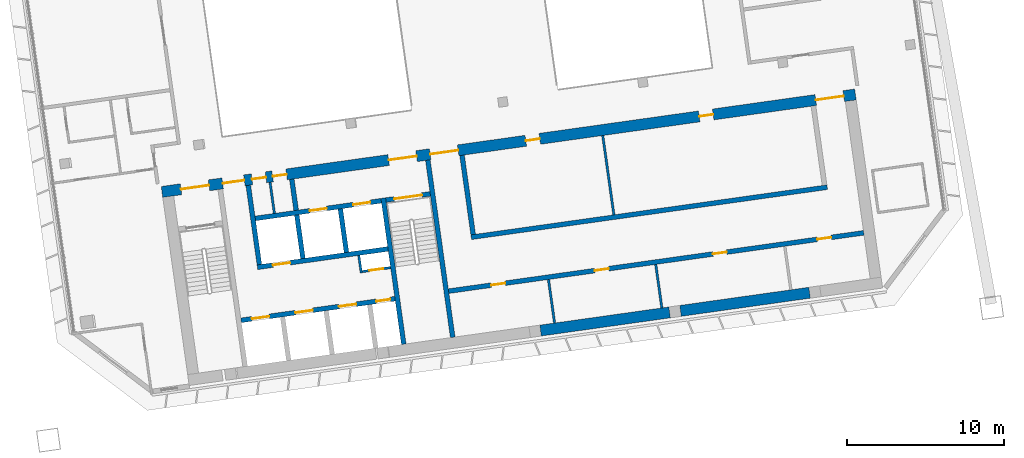
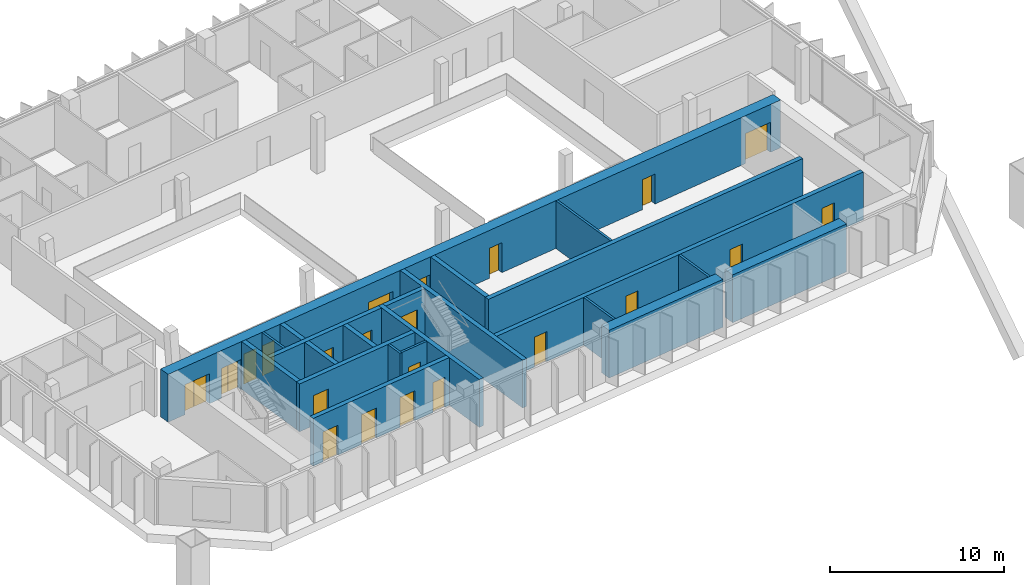
# One storey, part 18 of 23: 22 doors, 22 walls, 22 openings.
"""IFC4 building model written with IfcOpenShell, lengths in metres."""

from ifc_helpers import new_model, si_unit, direction, frame, frame_2d, origin, place, context, subcontext, project, spatial, rectangle, extrude, material, layer, layer_set, type_object, element, fill, save


model = new_model("IFC4")

# Units and contexts
model_context = context("Model", 3, precision=1e-05, world=origin(), true_north=direction((0.0, 1.0)))
body_context = subcontext(model_context, "Body", "Model", "MODEL_VIEW")
ifc_project = project(units=[si_unit("LENGTHUNIT", "METRE"), si_unit("AREAUNIT", "SQUARE_METRE"), si_unit("VOLUMEUNIT", "CUBIC_METRE"), si_unit("PLANEANGLEUNIT", "RADIAN"), si_unit("MASSUNIT", "GRAM", prefix="KILO")], contexts=[model_context])

# Site, building, storey
site_placement = place(None, origin())
site = spatial("IfcSite", under=ifc_project, at=site_placement, CompositionType="ELEMENT")
building_placement = place(site_placement, origin())
building = spatial("IfcBuilding", under=site, at=building_placement, Name="Mirante Cascada Hotel Towers", CompositionType="ELEMENT")
storey_placement = place(building_placement, frame((0.0, 0.0, 195.4)))
storey = spatial("IfcBuildingStorey", under=building, at=storey_placement, Name="L46", CompositionType="ELEMENT", Elevation=195.4)

# Wall
ifc_material_1 = material(Name="Masonry block", Category="masonry")
ifc_layer_1 = layer(ifc_material_1, 0.15)
ifc_layer_set_1 = layer_set([ifc_layer_1], Name="Core room partition 150 block EI 30")
wall_type_1 = type_object("IfcWallType", Name="Core room partition 150 block EI 30", PredefinedType="PARTITIONING", material=ifc_layer_set_1)
wall_1_placement = place(storey_placement, frame((48.2295, -12.793, 0.0), z_axis=(0.0, 0.0, 1.0), x_axis=(-0.1391935, 0.9902652, 0.0)))
element("IfcWall", 1, at=wall_1_placement, inside=storey, type_object=wall_type_1, Name="Core wall partition T2 L46 2", PredefinedType="PARTITIONING", context=body_context, shape_type="SweptSolid", body=[
    extrude(rectangle(XDim=1.1251, YDim=0.15, at=frame_2d((0.5626, 0.0))), origin(), (0.0, 0.0, 1.0), 3.35),
])

# Wall, opening, door
wall_2_placement = place(storey_placement, frame((48.2933, -12.7083, 0.0), z_axis=(0.0, 0.0, 1.0), x_axis=(0.990268, 0.1391734, 0.0)))
wall_2 = element("IfcWall", 2, at=wall_2_placement, inside=storey, type_object=wall_type_1, Name="Core wall partition T2 L46 3", PredefinedType="PARTITIONING", context=body_context, shape_type="SweptSolid", body=[
    extrude(rectangle(XDim=1.8251, YDim=0.15, at=frame_2d((0.9126, 0.0))), origin(), (0.0, 0.0, 1.0), 3.35),
])
opening_1_placement = place(wall_2_placement, frame((0.4625, 0.0, 0.0)))
opening_1 = element("IfcOpeningElement", 3, at=opening_1_placement, cuts=wall_2, Name="Opening D2-46-C15", PredefinedType="OPENING", context=body_context, shape_type="SweptSolid", body=[
    extrude(rectangle(XDim=0.9, YDim=2.1, at=frame_2d((0.45, 1.05))), frame((0.0, 0.075, 0.0), z_axis=(0.0, -1.0, 0.0), x_axis=(1.0, 0.0, 0.0)), (0.0, 0.0, 1.0), 0.15),
])
ifc_material_2 = material(Name="Hollow metal fire door leaf")
door_type_1 = type_object("IfcDoorType", Name="Fire door 900x2100 FD60", OperationType="NOTDEFINED", PredefinedType="DOOR", material=ifc_material_2)
door_1_placement = place(opening_1_placement, frame((0.9, 0.0, 0.0), z_axis=(0.0, 0.0, 1.0), x_axis=(-1.0, 0.0, 0.0)))
door_1 = element("IfcDoor", 4, at=door_1_placement, inside=storey, type_object=door_type_1, Name="Riser door T2 L46 15", OperationType="SINGLE_SWING_RIGHT", OverallHeight=2.1, OverallWidth=0.9, PredefinedType="DOOR", context=body_context, shape_type="SweptSolid", body=[
    extrude(rectangle(XDim=0.9, YDim=2.1, at=frame_2d((0.45, 1.05))), frame((0.0, 0.025, 0.0), z_axis=(0.0, -1.0, 0.0), x_axis=(1.0, 0.0, 0.0)), (0.0, 0.0, 1.0), 0.05),
])
fill(opening_1, door_1)

# Walls
wall_3_placement = place(storey_placement, frame((42.6979, -9.0009, 0.0), z_axis=(0.0, 0.0, 1.0), x_axis=(-0.1391529, 0.9902709, 0.0)))
element("IfcWall", 5, at=wall_3_placement, inside=storey, type_object=wall_type_1, Name="Core wall partition T2 L46 4", PredefinedType="PARTITIONING", context=body_context, shape_type="SweptSolid", body=[
    extrude(rectangle(XDim=2.0, YDim=0.15, at=frame_2d((1.0, 0.0))), origin(), (0.0, 0.0, 1.0), 3.35),
])
for number, where, z_axis, x_axis, name in (
    (6, (60.5436, -15.9853, 0.0), (0.0, 0.0, 1.0), (-0.139176, 0.9902677, 0.0), "Core wall partition T2 L46 6"),
    (7, (67.3765, -15.025, 0.0), (0.0, 0.0, 1.0), (-0.139176, 0.9902677, 0.0), "Core wall partition T2 L46 7"),
):
    element("IfcWall", number, at=place(storey_placement, frame(where, z_axis=z_axis, x_axis=x_axis)), inside=storey, type_object=wall_type_1, Name=name, PredefinedType="PARTITIONING", context=body_context, shape_type="SweptSolid", body=[
        extrude(rectangle(XDim=2.8001, YDim=0.15, at=frame_2d((1.4, 0.0))), origin(), (0.0, 0.0, 1.0), 3.35),
    ])
wall_4_placement = place(storey_placement, frame((64.3211, -9.0925, 0.0), z_axis=(0.0, 0.0, 1.0), x_axis=(-0.1391755, 0.9902677, 0.0)))
element("IfcWall", 8, at=wall_4_placement, inside=storey, type_object=wall_type_1, Name="Core wall partition T2 L46 9", PredefinedType="PARTITIONING", context=body_context, shape_type="SweptSolid", body=[
    extrude(rectangle(XDim=5.1, YDim=0.15, at=frame_2d((2.55, 0.0))), origin(), (0.0, 0.0, 1.0), 3.35),
])
ifc_material_3 = material(Name="Masonry block", Category="masonry")
ifc_layer_2 = layer(ifc_material_3, 0.3)
ifc_layer_set_2 = layer_set([ifc_layer_2], Name="Core wall 300 block EI 120")
wall_type_2 = type_object("IfcWallType", Name="Core wall 300 block EI 120", PredefinedType="PARTITIONING", material=ifc_layer_set_2)
wall_5_placement = place(storey_placement, frame((44.0843, -8.8061, 0.0), z_axis=(0.0, 0.0, 1.0), x_axis=(-0.1391951, 0.990265, 0.0)))
element("IfcWall", 9, at=wall_5_placement, inside=storey, type_object=wall_type_2, Name="Core wall partition T2 L46 1", PredefinedType="PARTITIONING", context=body_context, shape_type="SweptSolid", body=[
    extrude(rectangle(XDim=2.0001, YDim=0.3, at=frame_2d((1.0001, 0.0))), origin(), (0.0, 0.0, 1.0), 3.35),
])

# Wall, openings, doors
wall_6_placement = place(storey_placement, frame((53.7953, -13.9547, 0.0), z_axis=(0.0, 0.0, 1.0), x_axis=(0.9902677, 0.1391758, 0.0)))
wall_6 = element("IfcWall", 10, at=wall_6_placement, inside=storey, type_object=wall_type_2, Name="Core wall partition T2 L46 5", PredefinedType="PARTITIONING", context=body_context, shape_type="SweptSolid", body=[
    extrude(rectangle(XDim=26.7001, YDim=0.3, at=frame_2d((13.35, 0.0))), origin(), (0.0, 0.0, 1.0), 3.35),
])
opening_2_placement = place(wall_6_placement, frame((2.75, 0.0, 0.0)))
opening_2 = element("IfcOpeningElement", 11, at=opening_2_placement, cuts=wall_6, Name="Opening D2-46-C18", PredefinedType="OPENING", context=body_context, shape_type="SweptSolid", body=[
    extrude(rectangle(XDim=0.9, YDim=2.1, at=frame_2d((0.45, 1.05))), frame((0.0, 0.15, 0.0), z_axis=(0.0, -1.0, 0.0), x_axis=(1.0, 0.0, 0.0)), (0.0, 0.0, 1.0), 0.3),
])
opening_3_placement = place(wall_6_placement, frame((9.4, 0.0, 0.0)))
opening_3 = element("IfcOpeningElement", 12, at=opening_3_placement, cuts=wall_6, Name="Opening D2-46-C19", PredefinedType="OPENING", context=body_context, shape_type="SweptSolid", body=[
    extrude(rectangle(XDim=0.9, YDim=2.1, at=frame_2d((0.45, 1.05))), frame((0.0, 0.15, 0.0), z_axis=(0.0, -1.0, 0.0), x_axis=(1.0, 0.0, 0.0)), (0.0, 0.0, 1.0), 0.3),
])
opening_4_placement = place(wall_6_placement, frame((17.0, 0.0, 0.0)))
opening_4 = element("IfcOpeningElement", 13, at=opening_4_placement, cuts=wall_6, Name="Opening D2-46-C20", PredefinedType="OPENING", context=body_context, shape_type="SweptSolid", body=[
    extrude(rectangle(XDim=0.9, YDim=2.1, at=frame_2d((0.45, 1.05))), frame((0.0, 0.15, 0.0), z_axis=(0.0, -1.0, 0.0), x_axis=(1.0, 0.0, 0.0)), (0.0, 0.0, 1.0), 0.3),
])
opening_5_placement = place(wall_6_placement, frame((23.7, 0.0, 0.0)))
opening_5 = element("IfcOpeningElement", 14, at=opening_5_placement, cuts=wall_6, Name="Opening D2-46-C21", PredefinedType="OPENING", context=body_context, shape_type="SweptSolid", body=[
    extrude(rectangle(XDim=0.9, YDim=2.1, at=frame_2d((0.45, 1.05))), frame((0.0, 0.15, 0.0), z_axis=(0.0, -1.0, 0.0), x_axis=(1.0, 0.0, 0.0)), (0.0, 0.0, 1.0), 0.3),
])
door_2_placement = place(opening_2_placement, frame((0.9, 0.0, 0.0), z_axis=(0.0, 0.0, 1.0), x_axis=(-1.0, 0.0, 0.0)))
door_2 = element("IfcDoor", 15, at=door_2_placement, inside=storey, type_object=door_type_1, Name="Room door T2 L46 18", OperationType="SINGLE_SWING_LEFT", OverallHeight=2.1, OverallWidth=0.9, PredefinedType="DOOR", context=body_context, shape_type="SweptSolid", body=[
    extrude(rectangle(XDim=0.9, YDim=2.1, at=frame_2d((0.45, 1.05))), frame((0.0, 0.025, 0.0), z_axis=(0.0, -1.0, 0.0), x_axis=(1.0, 0.0, 0.0)), (0.0, 0.0, 1.0), 0.05),
])
fill(opening_2, door_2)
door_3_placement = place(opening_3_placement, frame((0.9, 0.0, 0.0), z_axis=(0.0, 0.0, 1.0), x_axis=(-1.0, 0.0, 0.0)))
door_3 = element("IfcDoor", 16, at=door_3_placement, inside=storey, type_object=door_type_1, Name="Room door T2 L46 19", OperationType="SINGLE_SWING_LEFT", OverallHeight=2.1, OverallWidth=0.9, PredefinedType="DOOR", context=body_context, shape_type="SweptSolid", body=[
    extrude(rectangle(XDim=0.9, YDim=2.1, at=frame_2d((0.45, 1.05))), frame((0.0, 0.025, 0.0), z_axis=(0.0, -1.0, 0.0), x_axis=(1.0, 0.0, 0.0)), (0.0, 0.0, 1.0), 0.05),
])
fill(opening_3, door_3)
door_4_placement = place(opening_4_placement, frame((0.9, 0.0, 0.0), z_axis=(0.0, 0.0, 1.0), x_axis=(-1.0, 0.0, 0.0)))
door_4 = element("IfcDoor", 17, at=door_4_placement, inside=storey, type_object=door_type_1, Name="Room door T2 L46 20", OperationType="SINGLE_SWING_RIGHT", OverallHeight=2.1, OverallWidth=0.9, PredefinedType="DOOR", context=body_context, shape_type="SweptSolid", body=[
    extrude(rectangle(XDim=0.9, YDim=2.1, at=frame_2d((0.45, 1.05))), frame((0.0, 0.025, 0.0), z_axis=(0.0, -1.0, 0.0), x_axis=(1.0, 0.0, 0.0)), (0.0, 0.0, 1.0), 0.05),
])
fill(opening_4, door_4)
door_5_placement = place(opening_5_placement, frame((0.9, 0.0, 0.0), z_axis=(0.0, 0.0, 1.0), x_axis=(-1.0, 0.0, 0.0)))
door_5 = element("IfcDoor", 18, at=door_5_placement, inside=storey, type_object=door_type_1, Name="Room door T2 L46 21", OperationType="SINGLE_SWING_RIGHT", OverallHeight=2.1, OverallWidth=0.9, PredefinedType="DOOR", context=body_context, shape_type="SweptSolid", body=[
    extrude(rectangle(XDim=0.9, YDim=2.1, at=frame_2d((0.45, 1.05))), frame((0.0, 0.025, 0.0), z_axis=(0.0, -1.0, 0.0), x_axis=(1.0, 0.0, 0.0)), (0.0, 0.0, 1.0), 0.05),
])
fill(opening_5, door_5)

# Walls
ifc_material_4 = material(Name="Concrete C50/60", Category="concrete")
ifc_layer_3 = layer(ifc_material_4, 0.3)
ifc_layer_set_3 = layer_set([ifc_layer_3], Name="RC core wall 300 C50/60")
wall_type_3 = type_object("IfcWallType", Name="RC core wall 300 C50/60", PredefinedType="SHEAR", material=ifc_layer_set_3)
wall_7_placement = place(storey_placement, frame((50.938, -17.3352, 0.0), z_axis=(0.0, 0.0, 1.0), x_axis=(-0.1391706, 0.9902684, 0.0)))
element("IfcWall", 19, at=wall_7_placement, inside=storey, type_object=wall_type_3, Name="Core wall T2:L46:6", PredefinedType="SHEAR", context=body_context, shape_type="SweptSolid", body=[
    extrude(rectangle(XDim=9.4, YDim=0.3, at=frame_2d((4.7, 0.0))), origin(), (0.0, 0.0, 1.0), 3.35),
])
wall_8_placement = place(storey_placement, frame((54.0574, -16.8968, 0.0), z_axis=(0.0, 0.0, 1.0), x_axis=(-0.1391761, 0.9902677, 0.0)))
element("IfcWall", 20, at=wall_8_placement, inside=storey, type_object=wall_type_3, Name="Core wall T2:L46:7", PredefinedType="SHEAR", context=body_context, shape_type="SweptSolid", body=[
    extrude(rectangle(XDim=11.3999, YDim=0.3, at=frame_2d((5.7, 0.0))), origin(), (0.0, 0.0, 1.0), 3.35),
])

# Wall, opening, door
wall_9_placement = place(storey_placement, frame((49.7992, -8.1544, 0.0), z_axis=(0.0, 0.0, 1.0), x_axis=(0.9902656, 0.1391909, 0.0)))
wall_9 = element("IfcWall", 21, at=wall_9_placement, inside=storey, type_object=wall_type_3, Name="Core wall T2:L46:9", PredefinedType="SHEAR", context=body_context, shape_type="SweptSolid", body=[
    extrude(rectangle(XDim=2.85, YDim=0.3, at=frame_2d((1.425, 0.0))), origin(), (0.0, 0.0, 1.0), 3.35),
])
opening_6_placement = place(wall_9_placement, frame((0.525, 0.0, 0.0)))
opening_6 = element("IfcOpeningElement", 22, at=opening_6_placement, cuts=wall_9, Name="Opening D2-46-C09", PredefinedType="OPENING", context=body_context, shape_type="SweptSolid", body=[
    extrude(rectangle(XDim=1.8, YDim=2.1, at=frame_2d((0.9, 1.05))), frame((0.0, 0.15, 0.0), z_axis=(0.0, -1.0, 0.0), x_axis=(1.0, 0.0, 0.0)), (0.0, 0.0, 1.0), 0.3),
])
ifc_material_5 = material(Name="Hollow metal fire door leaf")
door_type_2 = type_object("IfcDoorType", Name="Double fire door 1800x2100 FD60", OperationType="DOUBLE_DOOR_SINGLE_SWING", PredefinedType="DOOR", material=ifc_material_5)
door_6_placement = place(opening_6_placement, frame((1.8, 0.0, 0.0), z_axis=(0.0, 0.0, 1.0), x_axis=(-1.0, 0.0, 0.0)))
door_6 = element("IfcDoor", 23, at=door_6_placement, inside=storey, type_object=door_type_2, Name="Stair door T2 L46 9", OperationType="DOUBLE_DOOR_SINGLE_SWING", OverallHeight=2.1, OverallWidth=1.8, PredefinedType="DOOR", context=body_context, shape_type="SweptSolid", body=[
    extrude(rectangle(XDim=0.895, YDim=2.1, at=frame_2d((0.4475, 1.05))), frame((0.0, 0.025, 0.0), z_axis=(0.0, -1.0, 0.0), x_axis=(1.0, 0.0, 0.0)), (0.0, 0.0, 1.0), 0.05),
    extrude(rectangle(XDim=0.895, YDim=2.1, at=frame_2d((1.3525, 1.05))), frame((0.0, 0.025, 0.0), z_axis=(0.0, -1.0, 0.0), x_axis=(1.0, 0.0, 0.0)), (0.0, 0.0, 1.0), 0.05),
])
fill(opening_6, door_6)

# Wall, openings, doors
wall_10_placement = place(storey_placement, frame((40.5753, -15.8126, 0.0), z_axis=(0.0, 0.0, 1.0), x_axis=(0.9902682, 0.1391725, 0.0)))
wall_10 = element("IfcWall", 24, at=wall_10_placement, inside=storey, type_object=wall_type_3, Name="Core wall T2:L46:10", PredefinedType="SHEAR", context=body_context, shape_type="SweptSolid", body=[
    extrude(rectangle(XDim=9.8999, YDim=0.3, at=frame_2d((4.95, 0.0))), origin(), (0.0, 0.0, 1.0), 3.35),
])
opening_7_placement = place(wall_10_placement, frame((0.7, 0.0, 0.0)))
opening_7 = element("IfcOpeningElement", 25, at=opening_7_placement, cuts=wall_10, Name="Opening LD", PredefinedType="OPENING", context=body_context, shape_type="SweptSolid", body=[
    extrude(rectangle(XDim=1.1, YDim=2.1, at=frame_2d((0.55, 1.05))), frame((0.0, 0.15, 0.0), z_axis=(0.0, -1.0, 0.0), x_axis=(1.0, 0.0, 0.0)), (0.0, 0.0, 1.0), 0.3),
])
opening_8_placement = place(wall_10_placement, frame((3.5, 0.0, 0.0)))
opening_8 = element("IfcOpeningElement", 26, at=opening_8_placement, cuts=wall_10, Name="Opening LD", PredefinedType="OPENING", context=body_context, shape_type="SweptSolid", body=[
    extrude(rectangle(XDim=1.1, YDim=2.1, at=frame_2d((0.55, 1.05))), frame((0.0, 0.15, 0.0), z_axis=(0.0, -1.0, 0.0), x_axis=(1.0, 0.0, 0.0)), (0.0, 0.0, 1.0), 0.3),
])
opening_9_placement = place(wall_10_placement, frame((6.3, 0.0, 0.0)))
opening_9 = element("IfcOpeningElement", 27, at=opening_9_placement, cuts=wall_10, Name="Opening LD", PredefinedType="OPENING", context=body_context, shape_type="SweptSolid", body=[
    extrude(rectangle(XDim=1.1, YDim=2.1, at=frame_2d((0.55, 1.05))), frame((0.0, 0.15, 0.0), z_axis=(0.0, -1.0, 0.0), x_axis=(1.0, 0.0, 0.0)), (0.0, 0.0, 1.0), 0.3),
])
opening_10_placement = place(wall_10_placement, frame((8.7, 0.0, 0.0)))
opening_10 = element("IfcOpeningElement", 28, at=opening_10_placement, cuts=wall_10, Name="Opening D2-46-C14", PredefinedType="OPENING", context=body_context, shape_type="SweptSolid", body=[
    extrude(rectangle(XDim=0.9, YDim=2.1, at=frame_2d((0.45, 1.05))), frame((0.0, 0.15, 0.0), z_axis=(0.0, -1.0, 0.0), x_axis=(1.0, 0.0, 0.0)), (0.0, 0.0, 1.0), 0.3),
])
door_7_placement = place(opening_10_placement, frame((0.9, 0.0, 0.0), z_axis=(0.0, 0.0, 1.0), x_axis=(-1.0, 0.0, 0.0)))
door_7 = element("IfcDoor", 29, at=door_7_placement, inside=storey, type_object=door_type_1, Name="Riser door T2 L46 14", OperationType="SINGLE_SWING_RIGHT", OverallHeight=2.1, OverallWidth=0.9, PredefinedType="DOOR", context=body_context, shape_type="SweptSolid", body=[
    extrude(rectangle(XDim=0.9, YDim=2.1, at=frame_2d((0.45, 1.05))), frame((0.0, 0.025, 0.0), z_axis=(0.0, -1.0, 0.0), x_axis=(1.0, 0.0, 0.0)), (0.0, 0.0, 1.0), 0.05),
])
fill(opening_10, door_7)
ifc_material_6 = material(Name="Stainless steel", Category="steel")
door_type_3 = type_object("IfcDoorType", Name="Lift landing door 1100x2100 EI 120", OperationType="DOUBLE_DOOR_SLIDING", PredefinedType="DOOR", material=ifc_material_6)
door_8_placement = place(opening_7_placement, origin())
door_8 = element("IfcDoor", 30, at=door_8_placement, inside=storey, type_object=door_type_3, Name="Lift landing door HR2-1 L46", OperationType="DOUBLE_DOOR_SLIDING", OverallHeight=2.1, OverallWidth=1.1, PredefinedType="DOOR", context=body_context, shape_type="SweptSolid", body=[
    extrude(rectangle(XDim=0.545, YDim=2.1, at=frame_2d((0.2725, 1.05))), frame((0.0, 0.025, 0.0), z_axis=(0.0, -1.0, 0.0), x_axis=(1.0, 0.0, 0.0)), (0.0, 0.0, 1.0), 0.05),
    extrude(rectangle(XDim=0.545, YDim=2.1, at=frame_2d((0.8275, 1.05))), frame((0.0, 0.025, 0.0), z_axis=(0.0, -1.0, 0.0), x_axis=(1.0, 0.0, 0.0)), (0.0, 0.0, 1.0), 0.05),
])
fill(opening_7, door_8)
door_9_placement = place(opening_8_placement, origin())
door_9 = element("IfcDoor", 31, at=door_9_placement, inside=storey, type_object=door_type_3, Name="Lift landing door HR2-2 L46", OperationType="DOUBLE_DOOR_SLIDING", OverallHeight=2.1, OverallWidth=1.1, PredefinedType="DOOR", context=body_context, shape_type="SweptSolid", body=[
    extrude(rectangle(XDim=0.545, YDim=2.1, at=frame_2d((0.2725, 1.05))), frame((0.0, 0.025, 0.0), z_axis=(0.0, -1.0, 0.0), x_axis=(1.0, 0.0, 0.0)), (0.0, 0.0, 1.0), 0.05),
    extrude(rectangle(XDim=0.545, YDim=2.1, at=frame_2d((0.8275, 1.05))), frame((0.0, 0.025, 0.0), z_axis=(0.0, -1.0, 0.0), x_axis=(1.0, 0.0, 0.0)), (0.0, 0.0, 1.0), 0.05),
])
fill(opening_8, door_9)
door_10_placement = place(opening_9_placement, origin())
door_10 = element("IfcDoor", 32, at=door_10_placement, inside=storey, type_object=door_type_3, Name="Lift landing door HR2-3 L46", OperationType="DOUBLE_DOOR_SLIDING", OverallHeight=2.1, OverallWidth=1.1, PredefinedType="DOOR", context=body_context, shape_type="SweptSolid", body=[
    extrude(rectangle(XDim=0.545, YDim=2.1, at=frame_2d((0.2725, 1.05))), frame((0.0, 0.025, 0.0), z_axis=(0.0, -1.0, 0.0), x_axis=(1.0, 0.0, 0.0)), (0.0, 0.0, 1.0), 0.05),
    extrude(rectangle(XDim=0.545, YDim=2.1, at=frame_2d((0.8275, 1.05))), frame((0.0, 0.025, 0.0), z_axis=(0.0, -1.0, 0.0), x_axis=(1.0, 0.0, 0.0)), (0.0, 0.0, 1.0), 0.05),
])
fill(opening_9, door_10)

# Wall, opening, door
wall_11_placement = place(storey_placement, frame((41.6153, -12.435, 0.0), z_axis=(0.0, 0.0, 1.0), x_axis=(0.9902691, 0.139166, 0.0)))
wall_11 = element("IfcWall", 33, at=wall_11_placement, inside=storey, type_object=wall_type_3, Name="Core wall T2:L46:11", PredefinedType="SHEAR", context=body_context, shape_type="SweptSolid", body=[
    extrude(rectangle(XDim=8.4, YDim=0.3, at=frame_2d((4.2, 0.0))), origin(), (0.0, 0.0, 1.0), 3.35),
])
opening_11_placement = place(wall_11_placement, frame((1.0, 0.0, 0.0)))
opening_11 = element("IfcOpeningElement", 34, at=opening_11_placement, cuts=wall_11, Name="Opening LD", PredefinedType="OPENING", context=body_context, shape_type="SweptSolid", body=[
    extrude(rectangle(XDim=1.1, YDim=2.1, at=frame_2d((0.55, 1.05))), frame((0.0, 0.15, 0.0), z_axis=(0.0, -1.0, 0.0), x_axis=(1.0, 0.0, 0.0)), (0.0, 0.0, 1.0), 0.3),
])
door_11_placement = place(opening_11_placement, origin())
door_11 = element("IfcDoor", 35, at=door_11_placement, inside=storey, type_object=door_type_3, Name="Lift landing door HR2-4 L46", OperationType="DOUBLE_DOOR_SLIDING", OverallHeight=2.1, OverallWidth=1.1, PredefinedType="DOOR", context=body_context, shape_type="SweptSolid", body=[
    extrude(rectangle(XDim=0.545, YDim=2.1, at=frame_2d((0.2725, 1.05))), frame((0.0, 0.025, 0.0), z_axis=(0.0, -1.0, 0.0), x_axis=(1.0, 0.0, 0.0)), (0.0, 0.0, 1.0), 0.05),
    extrude(rectangle(XDim=0.545, YDim=2.1, at=frame_2d((0.8275, 1.05))), frame((0.0, 0.025, 0.0), z_axis=(0.0, -1.0, 0.0), x_axis=(1.0, 0.0, 0.0)), (0.0, 0.0, 1.0), 0.05),
])
fill(opening_11, door_11)

# Wall, openings, doors
wall_12_placement = place(storey_placement, frame((41.481, -9.3234, 0.0), z_axis=(0.0, 0.0, 1.0), x_axis=(0.9902679, 0.1391741, 0.0)))
wall_12 = element("IfcWall", 36, at=wall_12_placement, inside=storey, type_object=wall_type_3, Name="Core wall T2:L46:12", PredefinedType="SHEAR", context=body_context, shape_type="SweptSolid", body=[
    extrude(rectangle(XDim=8.0999, YDim=0.3, at=frame_2d((4.05, 0.0))), origin(), (0.0, 0.0, 1.0), 3.35),
])
opening_12_placement = place(wall_12_placement, frame((3.5, 0.0, 0.0)))
opening_12 = element("IfcOpeningElement", 37, at=opening_12_placement, cuts=wall_12, Name="Opening LD", PredefinedType="OPENING", context=body_context, shape_type="SweptSolid", body=[
    extrude(rectangle(XDim=1.1, YDim=2.1, at=frame_2d((0.55, 1.05))), frame((0.0, 0.15, 0.0), z_axis=(0.0, -1.0, 0.0), x_axis=(1.0, 0.0, 0.0)), (0.0, 0.0, 1.0), 0.3),
])
opening_13_placement = place(wall_12_placement, frame((6.3, 0.0, 0.0)))
opening_13 = element("IfcOpeningElement", 38, at=opening_13_placement, cuts=wall_12, Name="Opening LD", PredefinedType="OPENING", context=body_context, shape_type="SweptSolid", body=[
    extrude(rectangle(XDim=1.1, YDim=2.1, at=frame_2d((0.55, 1.05))), frame((0.0, 0.15, 0.0), z_axis=(0.0, -1.0, 0.0), x_axis=(1.0, 0.0, 0.0)), (0.0, 0.0, 1.0), 0.3),
])
door_12_placement = place(opening_12_placement, origin())
door_12 = element("IfcDoor", 39, at=door_12_placement, inside=storey, type_object=door_type_3, Name="Lift landing door FF3 L46", OperationType="DOUBLE_DOOR_SLIDING", OverallHeight=2.1, OverallWidth=1.1, PredefinedType="DOOR", context=body_context, shape_type="SweptSolid", body=[
    extrude(rectangle(XDim=0.545, YDim=2.1, at=frame_2d((0.2725, 1.05))), frame((0.0, 0.025, 0.0), z_axis=(0.0, -1.0, 0.0), x_axis=(1.0, 0.0, 0.0)), (0.0, 0.0, 1.0), 0.05),
    extrude(rectangle(XDim=0.545, YDim=2.1, at=frame_2d((0.8275, 1.05))), frame((0.0, 0.025, 0.0), z_axis=(0.0, -1.0, 0.0), x_axis=(1.0, 0.0, 0.0)), (0.0, 0.0, 1.0), 0.05),
])
fill(opening_12, door_12)
door_13_placement = place(opening_13_placement, origin())
door_13 = element("IfcDoor", 40, at=door_13_placement, inside=storey, type_object=door_type_3, Name="Lift landing door FF4 L46", OperationType="DOUBLE_DOOR_SLIDING", OverallHeight=2.1, OverallWidth=1.1, PredefinedType="DOOR", context=body_context, shape_type="SweptSolid", body=[
    extrude(rectangle(XDim=0.545, YDim=2.1, at=frame_2d((0.2725, 1.05))), frame((0.0, 0.025, 0.0), z_axis=(0.0, -1.0, 0.0), x_axis=(1.0, 0.0, 0.0)), (0.0, 0.0, 1.0), 0.05),
    extrude(rectangle(XDim=0.545, YDim=2.1, at=frame_2d((0.8275, 1.05))), frame((0.0, 0.025, 0.0), z_axis=(0.0, -1.0, 0.0), x_axis=(1.0, 0.0, 0.0)), (0.0, 0.0, 1.0), 0.05),
])
fill(opening_13, door_13)

# Walls
for number, where, z_axis, x_axis, name in (
    (41, (44.5157, -11.8759, 0.0), (0.0, 0.0, 1.0), (-0.139181, 0.990267, 0.0), "Core wall T2:L46:16"),
    (42, (47.2885, -11.4862, 0.0), (0.0, 0.0, 1.0), (-0.139181, 0.990267, 0.0), "Core wall T2:L46:17"),
):
    element("IfcWall", number, at=place(storey_placement, frame(where, z_axis=z_axis, x_axis=x_axis)), inside=storey, type_object=wall_type_3, Name=name, PredefinedType="SHEAR", context=body_context, shape_type="SweptSolid", body=[
        extrude(rectangle(XDim=2.8, YDim=0.3, at=frame_2d((1.4, 0.0))), origin(), (0.0, 0.0, 1.0), 3.35),
    ])
wall_13_placement = place(storey_placement, frame((41.743, -12.2656, 0.0), z_axis=(0.0, 0.0, 1.0), x_axis=(-0.1391755, 0.9902677, 0.0)))
element("IfcWall", 43, at=wall_13_placement, inside=storey, type_object=wall_type_3, Name="Core wall T2:L46:18", PredefinedType="SHEAR", context=body_context, shape_type="SweptSolid", body=[
    extrude(rectangle(XDim=5.1, YDim=0.3, at=frame_2d((2.55, 0.0))), origin(), (0.0, 0.0, 1.0), 3.35),
])
wall_14_placement = place(storey_placement, frame((55.2315, -10.5214, 0.0), z_axis=(0.0, 0.0, 1.0), x_axis=(0.9902678, 0.1391749, 0.0)))
element("IfcWall", 44, at=wall_14_placement, inside=storey, type_object=wall_type_3, Name="Core wall T2:L46:27", PredefinedType="SHEAR", context=body_context, shape_type="SweptSolid", body=[
    extrude(rectangle(XDim=22.9, YDim=0.3, at=frame_2d((11.45, 0.0))), origin(), (0.0, 0.0, 1.0), 3.35),
])
wall_15_placement = place(storey_placement, frame((55.3592, -10.352, 0.0), z_axis=(0.0, 0.0, 1.0), x_axis=(-0.1391755, 0.9902677, 0.0)))
element("IfcWall", 45, at=wall_15_placement, inside=storey, type_object=wall_type_3, Name="Core wall T2:L46:28", PredefinedType="SHEAR", context=body_context, shape_type="SweptSolid", body=[
    extrude(rectangle(XDim=5.1, YDim=0.3, at=frame_2d((2.55, 0.0))), origin(), (0.0, 0.0, 1.0), 3.35),
])
ifc_material_7 = material(Name="Concrete C50/60", Category="concrete")
ifc_layer_4 = layer(ifc_material_7, 0.7)
ifc_layer_set_4 = layer_set([ifc_layer_4], Name="RC core wall 700 C50/60")
wall_type_4 = type_object("IfcWallType", Name="RC core wall 700 C50/60", PredefinedType="SHEAR", material=ifc_layer_set_4)
for number, where, z_axis, x_axis, name in (
    (46, (59.6516, -16.4641, 0.0), (0.0, 0.0, 1.0), (0.990267, 0.139181, 0.0), "Core wall T2:L46:1.4"),
    (47, (68.564, -15.2115, 0.0), (0.0, 0.0, 1.0), (0.9902686, 0.1391692, 0.0), "Core wall T2:L46:1.5"),
):
    element("IfcWall", number, at=place(storey_placement, frame(where, z_axis=z_axis, x_axis=x_axis)), inside=storey, type_object=wall_type_4, Name=name, PredefinedType="SHEAR", context=body_context, shape_type="SweptSolid", body=[
        extrude(rectangle(XDim=8.3, YDim=0.7, at=frame_2d((4.15, 0.0))), origin(), (0.0, 0.0, 1.0), 3.35),
    ])

# Wall, openings, doors
wall_16_placement = place(storey_placement, frame((35.538, -7.6341, 0.0), z_axis=(0.0, 0.0, 1.0), x_axis=(0.9902682, 0.1391725, 0.0)))
wall_16 = element("IfcWall", 48, at=wall_16_placement, inside=storey, type_object=wall_type_4, Name="Core wall T2:L46:2", PredefinedType="SHEAR", context=body_context, shape_type="SweptSolid", body=[
    extrude(rectangle(XDim=44.6, YDim=0.7, at=frame_2d((22.3, 0.0))), origin(), (0.0, 0.0, 1.0), 3.35),
])
opening_14_placement = place(wall_16_placement, frame((1.225, 0.0, 0.0)))
opening_14 = element("IfcOpeningElement", 49, at=opening_14_placement, cuts=wall_16, Name="Opening D2-46-C08", PredefinedType="OPENING", context=body_context, shape_type="SweptSolid", body=[
    extrude(rectangle(XDim=1.8, YDim=2.1, at=frame_2d((0.9, 1.05))), frame((0.0, 0.35, 0.0), z_axis=(0.0, -1.0, 0.0), x_axis=(1.0, 0.0, 0.0)), (0.0, 0.0, 1.0), 0.7),
])
opening_15_placement = place(wall_16_placement, frame((14.575, 0.0, 0.0)))
opening_15 = element("IfcOpeningElement", 50, at=opening_15_placement, cuts=wall_16, Name="Opening D2-46-C10", PredefinedType="OPENING", context=body_context, shape_type="SweptSolid", body=[
    extrude(rectangle(XDim=1.8, YDim=2.1, at=frame_2d((0.9, 1.05))), frame((0.0, 0.35, 0.0), z_axis=(0.0, -1.0, 0.0), x_axis=(1.0, 0.0, 0.0)), (0.0, 0.0, 1.0), 0.7),
])
opening_16_placement = place(wall_16_placement, frame((3.9, 0.0, 0.0)))
opening_16 = element("IfcOpeningElement", 51, at=opening_16_placement, cuts=wall_16, Name="Opening D2-46-C11", PredefinedType="OPENING", context=body_context, shape_type="SweptSolid", body=[
    extrude(rectangle(XDim=1.4, YDim=2.1, at=frame_2d((0.7, 1.05))), frame((0.0, 0.35, 0.0), z_axis=(0.0, -1.0, 0.0), x_axis=(1.0, 0.0, 0.0)), (0.0, 0.0, 1.0), 0.7),
])
opening_17_placement = place(wall_16_placement, frame((17.25, 0.0, 0.0)))
opening_17 = element("IfcOpeningElement", 52, at=opening_17_placement, cuts=wall_16, Name="Opening D2-46-C12", PredefinedType="OPENING", context=body_context, shape_type="SweptSolid", body=[
    extrude(rectangle(XDim=1.8, YDim=2.1, at=frame_2d((0.9, 1.05))), frame((0.0, 0.35, 0.0), z_axis=(0.0, -1.0, 0.0), x_axis=(1.0, 0.0, 0.0)), (0.0, 0.0, 1.0), 0.7),
])
opening_18_placement = place(wall_16_placement, frame((42.05, 0.0, 0.0)))
opening_18 = element("IfcOpeningElement", 53, at=opening_18_placement, cuts=wall_16, Name="Opening D2-46-C13", PredefinedType="OPENING", context=body_context, shape_type="SweptSolid", body=[
    extrude(rectangle(XDim=1.8, YDim=2.1, at=frame_2d((0.9, 1.05))), frame((0.0, 0.35, 0.0), z_axis=(0.0, -1.0, 0.0), x_axis=(1.0, 0.0, 0.0)), (0.0, 0.0, 1.0), 0.7),
])
opening_19_placement = place(wall_16_placement, frame((5.7875, 0.0, 0.0)))
opening_19 = element("IfcOpeningElement", 54, at=opening_19_placement, cuts=wall_16, Name="Opening D2-46-C16", PredefinedType="OPENING", context=body_context, shape_type="SweptSolid", body=[
    extrude(rectangle(XDim=0.9, YDim=2.1, at=frame_2d((0.45, 1.05))), frame((0.0, 0.35, 0.0), z_axis=(0.0, -1.0, 0.0), x_axis=(1.0, 0.0, 0.0)), (0.0, 0.0, 1.0), 0.7),
])
opening_20_placement = place(wall_16_placement, frame((7.1125, 0.0, 0.0)))
opening_20 = element("IfcOpeningElement", 55, at=opening_20_placement, cuts=wall_16, Name="Opening D2-46-C17", PredefinedType="OPENING", context=body_context, shape_type="SweptSolid", body=[
    extrude(rectangle(XDim=0.9, YDim=2.1, at=frame_2d((0.45, 1.05))), frame((0.0, 0.35, 0.0), z_axis=(0.0, -1.0, 0.0), x_axis=(1.0, 0.0, 0.0)), (0.0, 0.0, 1.0), 0.7),
])
opening_21_placement = place(wall_16_placement, frame((23.4, 0.0, 0.0)))
opening_21 = element("IfcOpeningElement", 56, at=opening_21_placement, cuts=wall_16, Name="Opening D2-46-C22", PredefinedType="OPENING", context=body_context, shape_type="SweptSolid", body=[
    extrude(rectangle(XDim=0.9, YDim=2.1, at=frame_2d((0.45, 1.05))), frame((0.0, 0.35, 0.0), z_axis=(0.0, -1.0, 0.0), x_axis=(1.0, 0.0, 0.0)), (0.0, 0.0, 1.0), 0.7),
])
opening_22_placement = place(wall_16_placement, frame((34.55, 0.0, 0.0)))
opening_22 = element("IfcOpeningElement", 57, at=opening_22_placement, cuts=wall_16, Name="Opening D2-46-C23", PredefinedType="OPENING", context=body_context, shape_type="SweptSolid", body=[
    extrude(rectangle(XDim=0.9, YDim=2.1, at=frame_2d((0.45, 1.05))), frame((0.0, 0.35, 0.0), z_axis=(0.0, -1.0, 0.0), x_axis=(1.0, 0.0, 0.0)), (0.0, 0.0, 1.0), 0.7),
])
ifc_material_8 = material(Name="Hollow metal fire door leaf")
door_type_4 = type_object("IfcDoorType", Name="Double fire door 1400x2100 FD60", OperationType="DOUBLE_DOOR_SINGLE_SWING", PredefinedType="DOOR", material=ifc_material_8)
door_14_placement = place(opening_16_placement, origin())
door_14 = element("IfcDoor", 58, at=door_14_placement, inside=storey, type_object=door_type_4, Name="Exit door to gallery T2 L46 11", OperationType="DOUBLE_DOOR_SINGLE_SWING", OverallHeight=2.1, OverallWidth=1.4, PredefinedType="DOOR", context=body_context, shape_type="SweptSolid", body=[
    extrude(rectangle(XDim=0.695, YDim=2.1, at=frame_2d((0.3475, 1.05))), frame((0.0, 0.025, 0.0), z_axis=(0.0, -1.0, 0.0), x_axis=(1.0, 0.0, 0.0)), (0.0, 0.0, 1.0), 0.05),
    extrude(rectangle(XDim=0.695, YDim=2.1, at=frame_2d((1.0525, 1.05))), frame((0.0, 0.025, 0.0), z_axis=(0.0, -1.0, 0.0), x_axis=(1.0, 0.0, 0.0)), (0.0, 0.0, 1.0), 0.05),
])
fill(opening_16, door_14)
door_15_placement = place(opening_14_placement, frame((1.8, 0.0, 0.0), z_axis=(0.0, 0.0, 1.0), x_axis=(-1.0, 0.0, 0.0)))
door_15 = element("IfcDoor", 59, at=door_15_placement, inside=storey, type_object=door_type_2, Name="Exit door to gallery T2 L46 8", OperationType="DOUBLE_DOOR_SINGLE_SWING", OverallHeight=2.1, OverallWidth=1.8, PredefinedType="DOOR", context=body_context, shape_type="SweptSolid", body=[
    extrude(rectangle(XDim=0.895, YDim=2.1, at=frame_2d((0.4475, 1.05))), frame((0.0, 0.025, 0.0), z_axis=(0.0, -1.0, 0.0), x_axis=(1.0, 0.0, 0.0)), (0.0, 0.0, 1.0), 0.05),
    extrude(rectangle(XDim=0.895, YDim=2.1, at=frame_2d((1.3525, 1.05))), frame((0.0, 0.025, 0.0), z_axis=(0.0, -1.0, 0.0), x_axis=(1.0, 0.0, 0.0)), (0.0, 0.0, 1.0), 0.05),
])
fill(opening_14, door_15)
door_16_placement = place(opening_15_placement, frame((1.8, 0.0, 0.0), z_axis=(0.0, 0.0, 1.0), x_axis=(-1.0, 0.0, 0.0)))
door_16 = element("IfcDoor", 60, at=door_16_placement, inside=storey, type_object=door_type_2, Name="Exit door to gallery T2 L46 10", OperationType="DOUBLE_DOOR_SINGLE_SWING", OverallHeight=2.1, OverallWidth=1.8, PredefinedType="DOOR", context=body_context, shape_type="SweptSolid", body=[
    extrude(rectangle(XDim=0.895, YDim=2.1, at=frame_2d((0.4475, 1.05))), frame((0.0, 0.025, 0.0), z_axis=(0.0, -1.0, 0.0), x_axis=(1.0, 0.0, 0.0)), (0.0, 0.0, 1.0), 0.05),
    extrude(rectangle(XDim=0.895, YDim=2.1, at=frame_2d((1.3525, 1.05))), frame((0.0, 0.025, 0.0), z_axis=(0.0, -1.0, 0.0), x_axis=(1.0, 0.0, 0.0)), (0.0, 0.0, 1.0), 0.05),
])
fill(opening_15, door_16)
door_17_placement = place(opening_17_placement, origin())
door_17 = element("IfcDoor", 61, at=door_17_placement, inside=storey, type_object=door_type_2, Name="Exit door to gallery T2 L46 12", OperationType="DOUBLE_DOOR_SINGLE_SWING", OverallHeight=2.1, OverallWidth=1.8, PredefinedType="DOOR", context=body_context, shape_type="SweptSolid", body=[
    extrude(rectangle(XDim=0.895, YDim=2.1, at=frame_2d((0.4475, 1.05))), frame((0.0, 0.025, 0.0), z_axis=(0.0, -1.0, 0.0), x_axis=(1.0, 0.0, 0.0)), (0.0, 0.0, 1.0), 0.05),
    extrude(rectangle(XDim=0.895, YDim=2.1, at=frame_2d((1.3525, 1.05))), frame((0.0, 0.025, 0.0), z_axis=(0.0, -1.0, 0.0), x_axis=(1.0, 0.0, 0.0)), (0.0, 0.0, 1.0), 0.05),
])
fill(opening_17, door_17)
door_18_placement = place(opening_18_placement, origin())
door_18 = element("IfcDoor", 62, at=door_18_placement, inside=storey, type_object=door_type_2, Name="Exit door to gallery T2 L46 13", OperationType="DOUBLE_DOOR_SINGLE_SWING", OverallHeight=2.1, OverallWidth=1.8, PredefinedType="DOOR", context=body_context, shape_type="SweptSolid", body=[
    extrude(rectangle(XDim=0.895, YDim=2.1, at=frame_2d((0.4475, 1.05))), frame((0.0, 0.025, 0.0), z_axis=(0.0, -1.0, 0.0), x_axis=(1.0, 0.0, 0.0)), (0.0, 0.0, 1.0), 0.05),
    extrude(rectangle(XDim=0.895, YDim=2.1, at=frame_2d((1.3525, 1.05))), frame((0.0, 0.025, 0.0), z_axis=(0.0, -1.0, 0.0), x_axis=(1.0, 0.0, 0.0)), (0.0, 0.0, 1.0), 0.05),
])
fill(opening_18, door_18)
door_19_placement = place(opening_19_placement, frame((0.9, 0.0, 0.0), z_axis=(0.0, 0.0, 1.0), x_axis=(-1.0, 0.0, 0.0)))
door_19 = element("IfcDoor", 63, at=door_19_placement, inside=storey, type_object=door_type_1, Name="Room door T2 L46 16", OperationType="SINGLE_SWING_LEFT", OverallHeight=2.1, OverallWidth=0.9, PredefinedType="DOOR", context=body_context, shape_type="SweptSolid", body=[
    extrude(rectangle(XDim=0.9, YDim=2.1, at=frame_2d((0.45, 1.05))), frame((0.0, 0.025, 0.0), z_axis=(0.0, -1.0, 0.0), x_axis=(1.0, 0.0, 0.0)), (0.0, 0.0, 1.0), 0.05),
])
fill(opening_19, door_19)
door_20_placement = place(opening_20_placement, frame((0.9, 0.0, 0.0), z_axis=(0.0, 0.0, 1.0), x_axis=(-1.0, 0.0, 0.0)))
door_20 = element("IfcDoor", 64, at=door_20_placement, inside=storey, type_object=door_type_1, Name="Room door T2 L46 17", OperationType="SINGLE_SWING_LEFT", OverallHeight=2.1, OverallWidth=0.9, PredefinedType="DOOR", context=body_context, shape_type="SweptSolid", body=[
    extrude(rectangle(XDim=0.9, YDim=2.1, at=frame_2d((0.45, 1.05))), frame((0.0, 0.025, 0.0), z_axis=(0.0, -1.0, 0.0), x_axis=(1.0, 0.0, 0.0)), (0.0, 0.0, 1.0), 0.05),
])
fill(opening_20, door_20)
door_21_placement = place(opening_21_placement, frame((0.9, 0.0, 0.0), z_axis=(0.0, 0.0, 1.0), x_axis=(-1.0, 0.0, 0.0)))
door_21 = element("IfcDoor", 65, at=door_21_placement, inside=storey, type_object=door_type_1, Name="Room door T2 L46 22", OperationType="SINGLE_SWING_RIGHT", OverallHeight=2.1, OverallWidth=0.9, PredefinedType="DOOR", context=body_context, shape_type="SweptSolid", body=[
    extrude(rectangle(XDim=0.9, YDim=2.1, at=frame_2d((0.45, 1.05))), frame((0.0, 0.025, 0.0), z_axis=(0.0, -1.0, 0.0), x_axis=(1.0, 0.0, 0.0)), (0.0, 0.0, 1.0), 0.05),
])
fill(opening_21, door_21)
door_22_placement = place(opening_22_placement, frame((0.9, 0.0, 0.0), z_axis=(0.0, 0.0, 1.0), x_axis=(-1.0, 0.0, 0.0)))
door_22 = element("IfcDoor", 66, at=door_22_placement, inside=storey, type_object=door_type_1, Name="Room door T2 L46 23", OperationType="SINGLE_SWING_RIGHT", OverallHeight=2.1, OverallWidth=0.9, PredefinedType="DOOR", context=body_context, shape_type="SweptSolid", body=[
    extrude(rectangle(XDim=0.9, YDim=2.1, at=frame_2d((0.45, 1.05))), frame((0.0, 0.025, 0.0), z_axis=(0.0, -1.0, 0.0), x_axis=(1.0, 0.0, 0.0)), (0.0, 0.0, 1.0), 0.05),
])
fill(opening_22, door_22)

save(model, "model.ifc")
